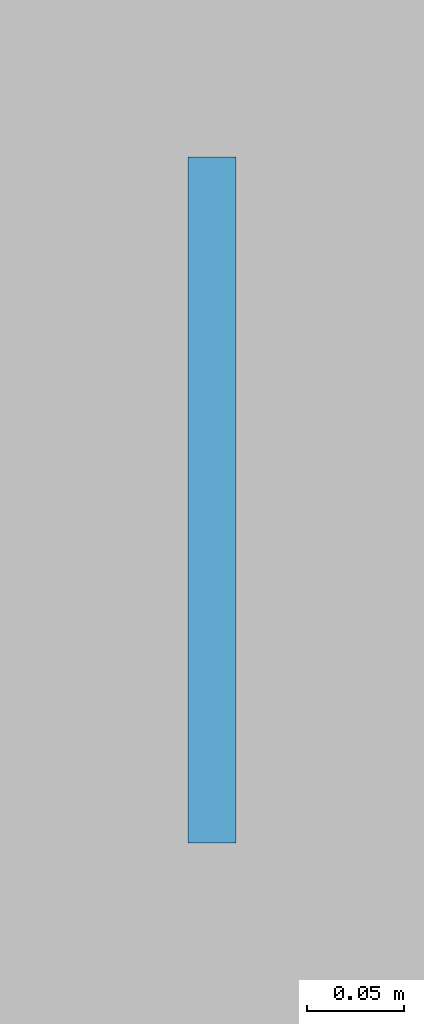
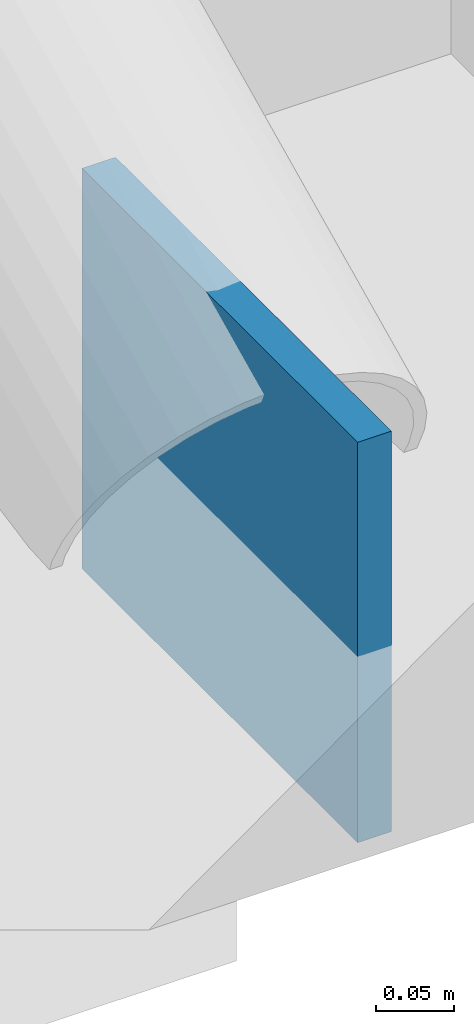
# One storey, part 116 of 144: 1 plate.
"""IFC4 building model written with IfcOpenShell, lengths in metres."""

from ifc_helpers import new_model, si_unit, direction, frame, origin, origin_2d, place, context, subcontext, project, spatial, rectangle, extrude, material, layer, layer_set, type_object, element, save


model = new_model("IFC4")

# Units and contexts
model_context = context("Model", 3, precision=1e-05, world=origin(), true_north=direction((0.0, 1.0)))
body_context = subcontext(model_context, "Body", "Model", "MODEL_VIEW")
ifc_project = project(units=[si_unit("LENGTHUNIT", "METRE"), si_unit("AREAUNIT", "SQUARE_METRE"), si_unit("VOLUMEUNIT", "CUBIC_METRE"), si_unit("PLANEANGLEUNIT", "RADIAN"), si_unit("MASSUNIT", "GRAM", prefix="KILO")], contexts=[model_context])

# Site, building, storey
site_placement = place(None, origin())
site = spatial("IfcSite", under=ifc_project, at=site_placement, CompositionType="ELEMENT")
building_placement = place(site_placement, origin())
building = spatial("IfcBuilding", under=site, at=building_placement, Name="Karori Crest Natural Sciences Institute", CompositionType="ELEMENT")
storey_placement = place(building_placement, origin())
storey = spatial("IfcBuildingStorey", under=building, at=storey_placement, Name="L00", CompositionType="ELEMENT", Elevation=0.0)

# Plate
ifc_material = material(Name="Structural steel AS/NZS 3679.1 Grade 350", Category="steel")
ifc_layer = layer(ifc_material, 0.02490234375, Name="Structural steel AS/NZS 3679.1 Grade 350")
ifc_layer_set = layer_set([ifc_layer], Name="Structural steel AS/NZS 3679.1 Grade 350")
plate_type = type_object("IfcPlateType", Name="PLT-06-EL", PredefinedType="SHEET", material=ifc_layer_set)
plate_placement = place(storey_placement, frame((27.199951171875, 95.0, -0.146484375), z_axis=(0.0, 0.0, 1.0), x_axis=(0.0, 1.0, 0.0)))
element("IfcPlate", 1, at=plate_placement, inside=storey, type_object=plate_type, Name="Brace gusset plate EP-0362", PredefinedType="SHEET", context=body_context, shape_type="SweptSolid", body=[
    extrude(rectangle(XDim=0.35302734375, YDim=0.02490234375, at=origin_2d()), origin(), (0.0, 0.0, 1.0), 0.31298828125),
])

save(model, "model.ifc")
